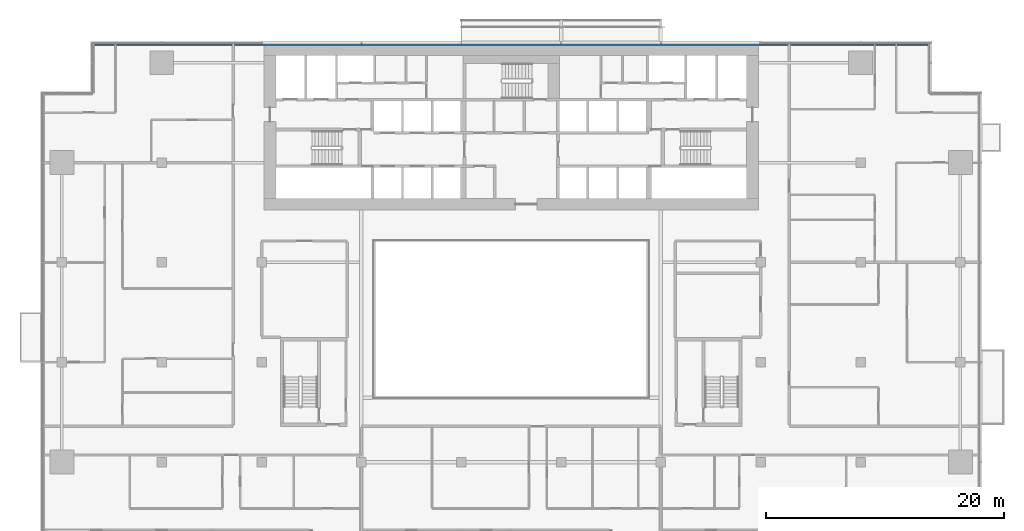
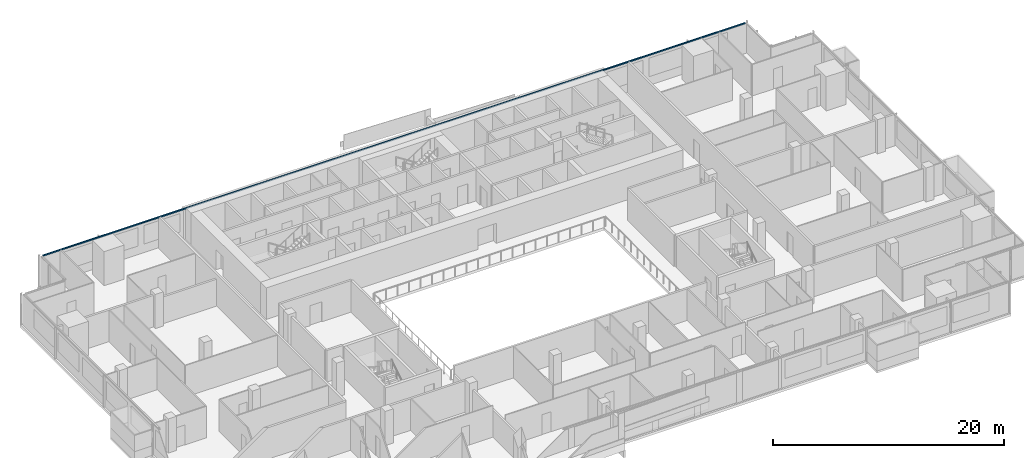
# One storey, part 9 of 26: 1 member, 1 element without a shape of its own.
"""IFC4 building model written with IfcOpenShell, lengths in metres."""

from ifc_helpers import new_model, si_unit, direction, frame, origin, origin_2d, place, context, subcontext, project, spatial, rectangle, extrude, material, material_profile, profile_set, type_object, element, aggregate, save


model = new_model("IFC4")

# Units and contexts
model_context = context("Model", 3, precision=1e-05, world=origin(), true_north=direction((0.0, 1.0)))
body_context = subcontext(model_context, "Body", "Model", "MODEL_VIEW")
ifc_project = project(units=[si_unit("LENGTHUNIT", "METRE"), si_unit("AREAUNIT", "SQUARE_METRE"), si_unit("VOLUMEUNIT", "CUBIC_METRE"), si_unit("PLANEANGLEUNIT", "RADIAN"), si_unit("MASSUNIT", "GRAM", prefix="KILO")], contexts=[model_context])

# Site, building, storey
site_placement = place(None, origin())
site = spatial("IfcSite", under=ifc_project, at=site_placement, CompositionType="ELEMENT")
building_placement = place(site_placement, origin())
building = spatial("IfcBuilding", under=site, at=building_placement, Name="Saffron Gate Tower", CompositionType="ELEMENT")
storey_placement = place(building_placement, frame((0.0, 0.0, 120.449951171875)))
storey = spatial("IfcBuildingStorey", under=building, at=storey_placement, Name="L28", CompositionType="ELEMENT", Elevation=120.449951171875)

# Curtain wall, member
ifc_material = material(Name="Aluminium, bronze anodised", Category="aluminium")
curtain_wall_type = type_object("IfcCurtainWallType", Name="CWS3 curtain wall rear facade", PredefinedType="NOTDEFINED", material=ifc_material)
curtain_wall_placement = place(storey_placement, origin())
curtain_wall = element("IfcCurtainWall", 1, at=curtain_wall_placement, inside=storey, type_object=curtain_wall_type, Name="CWS3 run 7", PredefinedType="NOTDEFINED")
ifc_material_profile = material_profile(ifc_material, rectangle(XDim=0.1201171875, YDim=0.1201171875, at=origin_2d()))
ifc_profile_set = profile_set([ifc_material_profile], Name="Aluminium, bronze anodised")
member_type = type_object("IfcMemberType", Name="CWS3 head transom", PredefinedType="USERDEFINED", material=ifc_profile_set)
member_placement = place(storey_placement, frame((122.632080078125, 75.35205078125, 3.260009765625), z_axis=(-1.0, 0.0, 0.0), x_axis=(0.0, -1.0, 0.0)))
member = element("IfcMember", 2, at=member_placement, type_object=member_type, Name="CWS3 head transom", ObjectType="TRANSOM", PredefinedType="USERDEFINED", context=body_context, shape_type="SweptSolid", body=[
    extrude(rectangle(XDim=0.1201171875, YDim=0.1201171875, at=origin_2d()), origin(), (0.0, 0.0, 1.0), 70.06396484375),
])
aggregate(curtain_wall, [member])

save(model, "model.ifc")
